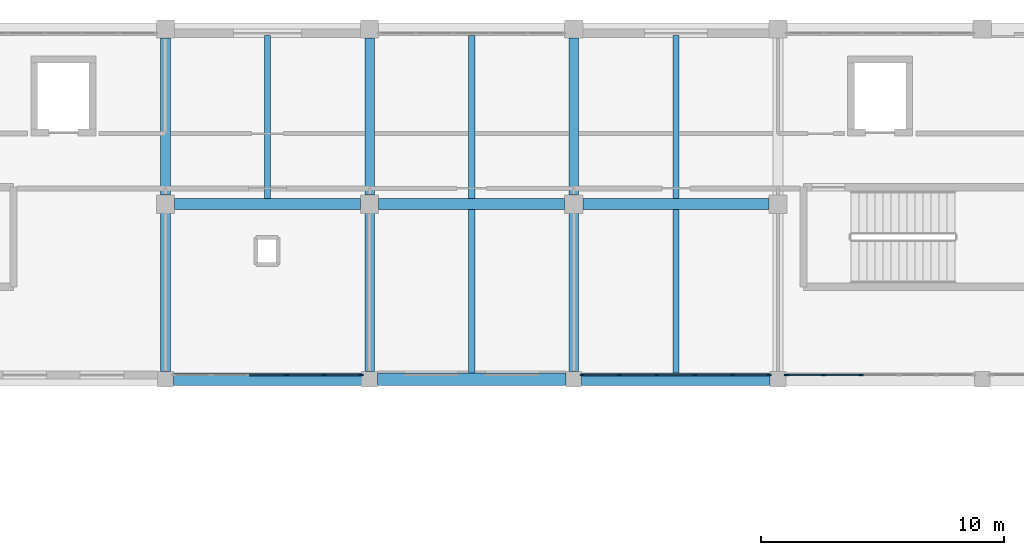
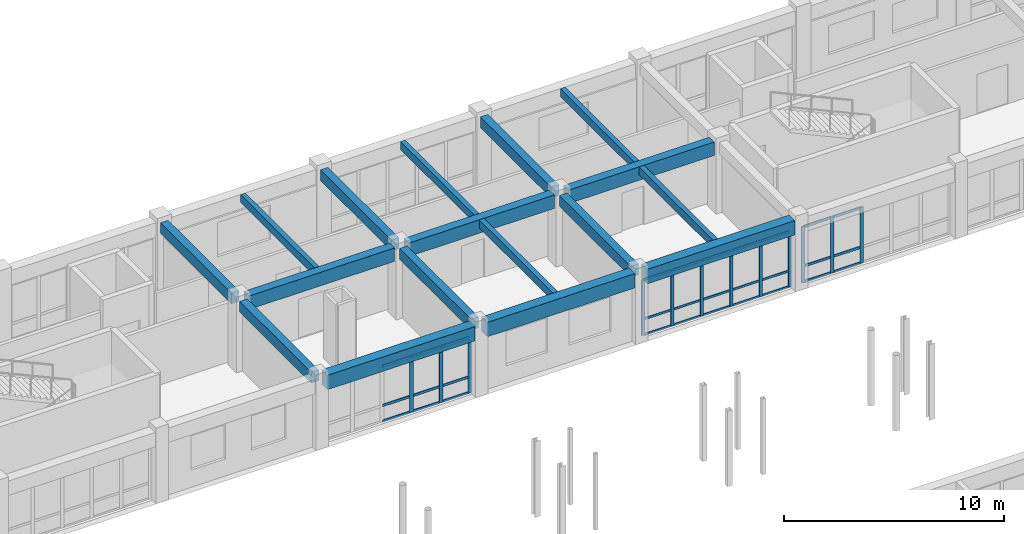
# One storey, part 62 of 147: 42 members, 17 beams, 3 elements without a shape of their own.
"""IFC4 building model written with IfcOpenShell, lengths in metres."""

from ifc_helpers import new_model, si_unit, direction, frame, origin, origin_2d, place, context, subcontext, project, spatial, rectangle, extrude, material, material_profile, profile_set, type_object, element, aggregate, save


model = new_model("IFC4")

# Units and contexts
model_context = context("Model", 3, precision=1e-05, world=origin(), true_north=direction((0.0, 1.0)))
body_context = subcontext(model_context, "Body", "Model", "MODEL_VIEW")
ifc_project = project(units=[si_unit("LENGTHUNIT", "METRE"), si_unit("AREAUNIT", "SQUARE_METRE"), si_unit("VOLUMEUNIT", "CUBIC_METRE"), si_unit("PLANEANGLEUNIT", "RADIAN"), si_unit("MASSUNIT", "GRAM", prefix="KILO")], contexts=[model_context])

# Site, building, storey
site_placement = place(None, origin())
site = spatial("IfcSite", under=ifc_project, at=site_placement, CompositionType="ELEMENT")
building_placement = place(site_placement, origin())
building = spatial("IfcBuilding", under=site, at=building_placement, Name="Malvenik Polytechnic", CompositionType="ELEMENT")
storey_placement = place(building_placement, frame((0.0, 0.0, 5.10009765625)))
storey = spatial("IfcBuildingStorey", under=building, at=storey_placement, Name="L01", CompositionType="ELEMENT", Elevation=5.10009765625)

# Curtain wall, members
ifc_material_1 = material(Name="Anodised aluminium 6060-T6", Category="aluminium")
curtain_wall_type = type_object("IfcCurtainWallType", Name="ARC-CW-CW-02", PredefinedType="NOTDEFINED", material=ifc_material_1)
curtain_wall_1_placement = place(storey_placement, origin())
curtain_wall_1 = element("IfcCurtainWall", 1, at=curtain_wall_1_placement, inside=storey, type_object=curtain_wall_type, Name="Unitised Curtain Wall CW-02 L01 #41", PredefinedType="NOTDEFINED")
ifc_material_2 = material(Name="Anodised aluminium", Category="aluminium")
ifc_material_profile_1 = material_profile(ifc_material_2, rectangle(XDim=0.06005859375, YDim=0.159912109375, at=origin_2d()), Name="ALU MULLION 60x160")
ifc_profile_set_1 = profile_set([ifc_material_profile_1], Name="Anodised aluminium")
member_type_1 = type_object("IfcMemberType", Name="ARC-CWM-160", PredefinedType="MULLION", material=ifc_profile_set_1)
member_1_placement = place(storey_placement, frame((50.047119140625, 115.3701171875, 0.0), z_axis=(0.0, 0.0, 1.0), x_axis=(0.0, -1.0, 0.0)))
member_1 = element("IfcMember", 2, at=member_1_placement, type_object=member_type_1, Name="CW-02 mullion 1", PredefinedType="MULLION", context=body_context, shape_type="SweptSolid", body=[
    extrude(rectangle(XDim=0.06005859375, YDim=0.159912109375, at=origin_2d()), origin(), (0.0, 0.0, 1.0), 3.10986328125),
])
member_2_placement = place(storey_placement, frame((48.526123046875, 115.3701171875, 0.0), z_axis=(0.0, 0.0, 1.0), x_axis=(0.0, -1.0, 0.0)))
member_2 = element("IfcMember", 3, at=member_2_placement, type_object=member_type_1, Name="CW-02 mullion 2", PredefinedType="MULLION", context=body_context, shape_type="SweptSolid", body=[
    extrude(rectangle(XDim=0.06005859375, YDim=0.159912109375, at=origin_2d()), origin(), (0.0, 0.0, 1.0), 3.10986328125),
])
member_3_placement = place(storey_placement, frame((46.975341796875, 115.3701171875, 0.0), z_axis=(0.0, 0.0, 1.0), x_axis=(0.0, -1.0, 0.0)))
member_3 = element("IfcMember", 4, at=member_3_placement, type_object=member_type_1, Name="CW-02 mullion 3", PredefinedType="MULLION", context=body_context, shape_type="SweptSolid", body=[
    extrude(rectangle(XDim=0.06005859375, YDim=0.159912109375, at=origin_2d()), origin(), (0.0, 0.0, 1.0), 3.10986328125),
])
member_4_placement = place(storey_placement, frame((45.424560546875, 115.3701171875, 0.0), z_axis=(0.0, 0.0, 1.0), x_axis=(0.0, -1.0, 0.0)))
member_4 = element("IfcMember", 5, at=member_4_placement, type_object=member_type_1, Name="CW-02 mullion 4", PredefinedType="MULLION", context=body_context, shape_type="SweptSolid", body=[
    extrude(rectangle(XDim=0.06005859375, YDim=0.159912109375, at=origin_2d()), origin(), (0.0, 0.0, 1.0), 3.10986328125),
])
member_5_placement = place(storey_placement, frame((43.873779296875, 115.3701171875, 0.0), z_axis=(0.0, 0.0, 1.0), x_axis=(0.0, -1.0, 0.0)))
member_5 = element("IfcMember", 6, at=member_5_placement, type_object=member_type_1, Name="CW-02 mullion 5", PredefinedType="MULLION", context=body_context, shape_type="SweptSolid", body=[
    extrude(rectangle(XDim=0.06005859375, YDim=0.159912109375, at=origin_2d()), origin(), (0.0, 0.0, 1.0), 3.10986328125),
])
member_6_placement = place(storey_placement, frame((42.35302734375, 115.3701171875, 0.0), z_axis=(0.0, 0.0, 1.0), x_axis=(0.0, -1.0, 0.0)))
member_6 = element("IfcMember", 7, at=member_6_placement, type_object=member_type_1, Name="CW-02 mullion 6", PredefinedType="MULLION", context=body_context, shape_type="SweptSolid", body=[
    extrude(rectangle(XDim=0.06005859375, YDim=0.159912109375, at=origin_2d()), origin(), (0.0, 0.0, 1.0), 3.10986328125),
])

curtain_wall_2_placement = place(storey_placement, origin())
curtain_wall_2 = element("IfcCurtainWall", 8, at=curtain_wall_2_placement, inside=storey, type_object=curtain_wall_type, Name="Unitised Curtain Wall CW-02 L01 #40", PredefinedType="NOTDEFINED")
ifc_material_profile_2 = material_profile(ifc_material_2, rectangle(XDim=0.06005859375, YDim=0.179931640625, at=origin_2d()), Name="ALU MULLION 60x180")
ifc_profile_set_2 = profile_set([ifc_material_profile_2], Name="Anodised aluminium")
member_type_2 = type_object("IfcMemberType", Name="ARC-CWM-180", PredefinedType="MULLION", material=ifc_profile_set_2)
member_7_placement = place(storey_placement, frame((53.82470703125, 115.3701171875, 0.0), z_axis=(0.0, 0.0, 1.0), x_axis=(0.0, -1.0, 0.0)))
member_7 = element("IfcMember", 9, at=member_7_placement, type_object=member_type_2, Name="CW-02 mullion 4", PredefinedType="MULLION", context=body_context, shape_type="SweptSolid", body=[
    extrude(rectangle(XDim=0.06005859375, YDim=0.179931640625, at=origin_2d()), origin(), (0.0, 0.0, 1.0), 3.10986328125),
])
member_8_placement = place(storey_placement, frame((52.273681640625, 115.3701171875, 0.0), z_axis=(0.0, 0.0, 1.0), x_axis=(0.0, -1.0, 0.0)))
member_8 = element("IfcMember", 10, at=member_8_placement, type_object=member_type_2, Name="CW-02 mullion 5", PredefinedType="MULLION", context=body_context, shape_type="SweptSolid", body=[
    extrude(rectangle(XDim=0.06005859375, YDim=0.179931640625, at=origin_2d()), origin(), (0.0, 0.0, 1.0), 3.10986328125),
])
member_9_placement = place(storey_placement, frame((50.7529296875, 115.3701171875, 0.0), z_axis=(0.0, 0.0, 1.0), x_axis=(0.0, -1.0, 0.0)))
member_9 = element("IfcMember", 11, at=member_9_placement, type_object=member_type_2, Name="CW-02 mullion 6", PredefinedType="MULLION", context=body_context, shape_type="SweptSolid", body=[
    extrude(rectangle(XDim=0.06005859375, YDim=0.179931640625, at=origin_2d()), origin(), (0.0, 0.0, 1.0), 3.10986328125),
])

curtain_wall_3_placement = place(storey_placement, origin())
curtain_wall_3 = element("IfcCurtainWall", 12, at=curtain_wall_3_placement, inside=storey, type_object=curtain_wall_type, Name="Unitised Curtain Wall CW-02 L01 #42", PredefinedType="NOTDEFINED")
ifc_material_profile_3 = material_profile(ifc_material_2, rectangle(XDim=0.06005859375, YDim=0.199951171875, at=origin_2d()), Name="ALU MULLION 60x200")
ifc_profile_set_3 = profile_set([ifc_material_profile_3], Name="Anodised aluminium")
member_type_3 = type_object("IfcMemberType", Name="ARC-CWM-200", PredefinedType="MULLION", material=ifc_profile_set_3)
member_10_placement = place(storey_placement, frame((33.2470703125, 115.3701171875, 0.0), z_axis=(0.0, 0.0, 1.0), x_axis=(0.0, -1.0, 0.0)))
member_10 = element("IfcMember", 13, at=member_10_placement, type_object=member_type_3, Name="CW-02 mullion 1", PredefinedType="MULLION", context=body_context, shape_type="SweptSolid", body=[
    extrude(rectangle(XDim=0.06005859375, YDim=0.199951171875, at=origin_2d()), origin(), (0.0, 0.0, 1.0), 3.10986328125),
])
member_11_placement = place(storey_placement, frame((31.726318359375, 115.3701171875, 0.0), z_axis=(0.0, 0.0, 1.0), x_axis=(0.0, -1.0, 0.0)))
member_11 = element("IfcMember", 14, at=member_11_placement, type_object=member_type_3, Name="CW-02 mullion 2", PredefinedType="MULLION", context=body_context, shape_type="SweptSolid", body=[
    extrude(rectangle(XDim=0.06005859375, YDim=0.199951171875, at=origin_2d()), origin(), (0.0, 0.0, 1.0), 3.10986328125),
])
member_12_placement = place(storey_placement, frame((30.17529296875, 115.3701171875, 0.0), z_axis=(0.0, 0.0, 1.0), x_axis=(0.0, -1.0, 0.0)))
member_12 = element("IfcMember", 15, at=member_12_placement, type_object=member_type_3, Name="CW-02 mullion 3", PredefinedType="MULLION", context=body_context, shape_type="SweptSolid", body=[
    extrude(rectangle(XDim=0.06005859375, YDim=0.199951171875, at=origin_2d()), origin(), (0.0, 0.0, 1.0), 3.10986328125),
])

# Member
ifc_material_profile_4 = material_profile(ifc_material_2, rectangle(XDim=0.06005859375, YDim=0.1201171875, at=origin_2d()), Name="ALU TRANSOM 60x120")
ifc_profile_set_4 = profile_set([ifc_material_profile_4], Name="Anodised aluminium")
member_type_4 = type_object("IfcMemberType", Name="ARC-CWT-120", PredefinedType="USERDEFINED", material=ifc_profile_set_4)
member_13_placement = place(storey_placement, frame((50.01708984375, 115.3701171875, 0.02978515625), z_axis=(-1.0, 0.0, 0.0), x_axis=(0.0, -1.0, 0.0)))
member_13 = element("IfcMember", 16, at=member_13_placement, type_object=member_type_4, Name="CW-02 transom 1.1", ObjectType="TRANSOM", PredefinedType="USERDEFINED", context=body_context, shape_type="SweptSolid", body=[
    extrude(rectangle(XDim=0.06005859375, YDim=0.1201171875, at=origin_2d()), origin(), (0.0, 0.0, 1.0), 1.4609375),
])

member_14_placement = place(storey_placement, frame((50.01708984375, 115.3701171875, 0.89990234375), z_axis=(-1.0, 0.0, 0.0), x_axis=(0.0, -1.0, 0.0)))
member_14 = element("IfcMember", 17, at=member_14_placement, type_object=member_type_4, Name="CW-02 transom 1.2", ObjectType="TRANSOM", PredefinedType="USERDEFINED", context=body_context, shape_type="SweptSolid", body=[
    extrude(rectangle(XDim=0.06005859375, YDim=0.1201171875, at=origin_2d()), origin(), (0.0, 0.0, 1.0), 1.4609375),
])

member_15_placement = place(storey_placement, frame((50.01708984375, 115.3701171875, 3.079833984375), z_axis=(-1.0, 0.0, 0.0), x_axis=(0.0, -1.0, 0.0)))
member_15 = element("IfcMember", 18, at=member_15_placement, type_object=member_type_4, Name="CW-02 transom 1.3", ObjectType="TRANSOM", PredefinedType="USERDEFINED", context=body_context, shape_type="SweptSolid", body=[
    extrude(rectangle(XDim=0.06005859375, YDim=0.1201171875, at=origin_2d()), origin(), (0.0, 0.0, 1.0), 1.4609375),
])

member_16_placement = place(storey_placement, frame((48.49609375, 115.3701171875, 0.02978515625), z_axis=(-1.0, 0.0, 0.0), x_axis=(0.0, -1.0, 0.0)))
member_16 = element("IfcMember", 19, at=member_16_placement, type_object=member_type_4, Name="CW-02 transom 2.1", ObjectType="TRANSOM", PredefinedType="USERDEFINED", context=body_context, shape_type="SweptSolid", body=[
    extrude(rectangle(XDim=0.06005859375, YDim=0.1201171875, at=origin_2d()), origin(), (0.0, 0.0, 1.0), 1.49072265625),
])

member_17_placement = place(storey_placement, frame((48.49609375, 115.3701171875, 0.89990234375), z_axis=(-1.0, 0.0, 0.0), x_axis=(0.0, -1.0, 0.0)))
member_17 = element("IfcMember", 20, at=member_17_placement, type_object=member_type_4, Name="CW-02 transom 2.2", ObjectType="TRANSOM", PredefinedType="USERDEFINED", context=body_context, shape_type="SweptSolid", body=[
    extrude(rectangle(XDim=0.06005859375, YDim=0.1201171875, at=origin_2d()), origin(), (0.0, 0.0, 1.0), 1.49072265625),
])

member_18_placement = place(storey_placement, frame((48.49609375, 115.3701171875, 3.079833984375), z_axis=(-1.0, 0.0, 0.0), x_axis=(0.0, -1.0, 0.0)))
member_18 = element("IfcMember", 21, at=member_18_placement, type_object=member_type_4, Name="CW-02 transom 2.3", ObjectType="TRANSOM", PredefinedType="USERDEFINED", context=body_context, shape_type="SweptSolid", body=[
    extrude(rectangle(XDim=0.06005859375, YDim=0.1201171875, at=origin_2d()), origin(), (0.0, 0.0, 1.0), 1.49072265625),
])

member_19_placement = place(storey_placement, frame((46.9453125, 115.3701171875, 0.02978515625), z_axis=(-1.0, 0.0, 0.0), x_axis=(0.0, -1.0, 0.0)))
member_19 = element("IfcMember", 22, at=member_19_placement, type_object=member_type_4, Name="CW-02 transom 3.1", ObjectType="TRANSOM", PredefinedType="USERDEFINED", context=body_context, shape_type="SweptSolid", body=[
    extrude(rectangle(XDim=0.06005859375, YDim=0.1201171875, at=origin_2d()), origin(), (0.0, 0.0, 1.0), 1.49072265625),
])

member_20_placement = place(storey_placement, frame((46.9453125, 115.3701171875, 0.89990234375), z_axis=(-1.0, 0.0, 0.0), x_axis=(0.0, -1.0, 0.0)))
member_20 = element("IfcMember", 23, at=member_20_placement, type_object=member_type_4, Name="CW-02 transom 3.2", ObjectType="TRANSOM", PredefinedType="USERDEFINED", context=body_context, shape_type="SweptSolid", body=[
    extrude(rectangle(XDim=0.06005859375, YDim=0.1201171875, at=origin_2d()), origin(), (0.0, 0.0, 1.0), 1.49072265625),
])

member_21_placement = place(storey_placement, frame((46.9453125, 115.3701171875, 3.079833984375), z_axis=(-1.0, 0.0, 0.0), x_axis=(0.0, -1.0, 0.0)))
member_21 = element("IfcMember", 24, at=member_21_placement, type_object=member_type_4, Name="CW-02 transom 3.3", ObjectType="TRANSOM", PredefinedType="USERDEFINED", context=body_context, shape_type="SweptSolid", body=[
    extrude(rectangle(XDim=0.06005859375, YDim=0.1201171875, at=origin_2d()), origin(), (0.0, 0.0, 1.0), 1.49072265625),
])

member_22_placement = place(storey_placement, frame((45.39453125, 115.3701171875, 0.02978515625), z_axis=(-1.0, 0.0, 0.0), x_axis=(0.0, -1.0, 0.0)))
member_22 = element("IfcMember", 25, at=member_22_placement, type_object=member_type_4, Name="CW-02 transom 4.1", ObjectType="TRANSOM", PredefinedType="USERDEFINED", context=body_context, shape_type="SweptSolid", body=[
    extrude(rectangle(XDim=0.06005859375, YDim=0.1201171875, at=origin_2d()), origin(), (0.0, 0.0, 1.0), 1.49072265625),
])

member_23_placement = place(storey_placement, frame((45.39453125, 115.3701171875, 0.89990234375), z_axis=(-1.0, 0.0, 0.0), x_axis=(0.0, -1.0, 0.0)))
member_23 = element("IfcMember", 26, at=member_23_placement, type_object=member_type_4, Name="CW-02 transom 4.2", ObjectType="TRANSOM", PredefinedType="USERDEFINED", context=body_context, shape_type="SweptSolid", body=[
    extrude(rectangle(XDim=0.06005859375, YDim=0.1201171875, at=origin_2d()), origin(), (0.0, 0.0, 1.0), 1.49072265625),
])

member_24_placement = place(storey_placement, frame((45.39453125, 115.3701171875, 3.079833984375), z_axis=(-1.0, 0.0, 0.0), x_axis=(0.0, -1.0, 0.0)))
member_24 = element("IfcMember", 27, at=member_24_placement, type_object=member_type_4, Name="CW-02 transom 4.3", ObjectType="TRANSOM", PredefinedType="USERDEFINED", context=body_context, shape_type="SweptSolid", body=[
    extrude(rectangle(XDim=0.06005859375, YDim=0.1201171875, at=origin_2d()), origin(), (0.0, 0.0, 1.0), 1.49072265625),
])

member_25_placement = place(storey_placement, frame((43.84375, 115.3701171875, 0.02978515625), z_axis=(-1.0, 0.0, 0.0), x_axis=(0.0, -1.0, 0.0)))
member_25 = element("IfcMember", 28, at=member_25_placement, type_object=member_type_4, Name="CW-02 transom 5.1", ObjectType="TRANSOM", PredefinedType="USERDEFINED", context=body_context, shape_type="SweptSolid", body=[
    extrude(rectangle(XDim=0.06005859375, YDim=0.1201171875, at=origin_2d()), origin(), (0.0, 0.0, 1.0), 1.460693359375),
])

member_26_placement = place(storey_placement, frame((43.84375, 115.3701171875, 0.89990234375), z_axis=(-1.0, 0.0, 0.0), x_axis=(0.0, -1.0, 0.0)))
member_26 = element("IfcMember", 29, at=member_26_placement, type_object=member_type_4, Name="CW-02 transom 5.2", ObjectType="TRANSOM", PredefinedType="USERDEFINED", context=body_context, shape_type="SweptSolid", body=[
    extrude(rectangle(XDim=0.06005859375, YDim=0.1201171875, at=origin_2d()), origin(), (0.0, 0.0, 1.0), 1.460693359375),
])

member_27_placement = place(storey_placement, frame((43.84375, 115.3701171875, 3.079833984375), z_axis=(-1.0, 0.0, 0.0), x_axis=(0.0, -1.0, 0.0)))
member_27 = element("IfcMember", 30, at=member_27_placement, type_object=member_type_4, Name="CW-02 transom 5.3", ObjectType="TRANSOM", PredefinedType="USERDEFINED", context=body_context, shape_type="SweptSolid", body=[
    extrude(rectangle(XDim=0.06005859375, YDim=0.1201171875, at=origin_2d()), origin(), (0.0, 0.0, 1.0), 1.460693359375),
])

aggregate(curtain_wall_1, [member_1, member_2, member_3, member_4, member_5, member_6, member_13, member_14, member_15, member_16, member_17, member_18, member_19, member_20, member_21, member_22, member_23, member_24, member_25, member_26, member_27])

ifc_material_profile_5 = material_profile(ifc_material_2, rectangle(XDim=0.06005859375, YDim=0.139892578125, at=origin_2d()), Name="ALU TRANSOM 60x140")
ifc_profile_set_5 = profile_set([ifc_material_profile_5], Name="Anodised aluminium")
member_type_5 = type_object("IfcMemberType", Name="ARC-CWT-140", PredefinedType="USERDEFINED", material=ifc_profile_set_5)
member_28_placement = place(storey_placement, frame((53.794677734375, 115.3701171875, 0.02978515625), z_axis=(-1.0, 0.0, 0.0), x_axis=(0.0, -1.0, 0.0)))
member_28 = element("IfcMember", 31, at=member_28_placement, type_object=member_type_5, Name="CW-02 transom 4.1", ObjectType="TRANSOM", PredefinedType="USERDEFINED", context=body_context, shape_type="SweptSolid", body=[
    extrude(rectangle(XDim=0.06005859375, YDim=0.139892578125, at=origin_2d()), origin(), (0.0, 0.0, 1.0), 1.490966796875),
])

member_29_placement = place(storey_placement, frame((53.794677734375, 115.3701171875, 0.89990234375), z_axis=(-1.0, 0.0, 0.0), x_axis=(0.0, -1.0, 0.0)))
member_29 = element("IfcMember", 32, at=member_29_placement, type_object=member_type_5, Name="CW-02 transom 4.2", ObjectType="TRANSOM", PredefinedType="USERDEFINED", context=body_context, shape_type="SweptSolid", body=[
    extrude(rectangle(XDim=0.06005859375, YDim=0.139892578125, at=origin_2d()), origin(), (0.0, 0.0, 1.0), 1.490966796875),
])

member_30_placement = place(storey_placement, frame((53.794677734375, 115.3701171875, 3.079833984375), z_axis=(-1.0, 0.0, 0.0), x_axis=(0.0, -1.0, 0.0)))
member_30 = element("IfcMember", 33, at=member_30_placement, type_object=member_type_5, Name="CW-02 transom 4.3", ObjectType="TRANSOM", PredefinedType="USERDEFINED", context=body_context, shape_type="SweptSolid", body=[
    extrude(rectangle(XDim=0.06005859375, YDim=0.139892578125, at=origin_2d()), origin(), (0.0, 0.0, 1.0), 1.490966796875),
])

member_31_placement = place(storey_placement, frame((52.243896484375, 115.3701171875, 0.02978515625), z_axis=(-1.0, 0.0, 0.0), x_axis=(0.0, -1.0, 0.0)))
member_31 = element("IfcMember", 34, at=member_31_placement, type_object=member_type_5, Name="CW-02 transom 5.1", ObjectType="TRANSOM", PredefinedType="USERDEFINED", context=body_context, shape_type="SweptSolid", body=[
    extrude(rectangle(XDim=0.06005859375, YDim=0.139892578125, at=origin_2d()), origin(), (0.0, 0.0, 1.0), 1.4609375),
])

member_32_placement = place(storey_placement, frame((52.243896484375, 115.3701171875, 0.89990234375), z_axis=(-1.0, 0.0, 0.0), x_axis=(0.0, -1.0, 0.0)))
member_32 = element("IfcMember", 35, at=member_32_placement, type_object=member_type_5, Name="CW-02 transom 5.2", ObjectType="TRANSOM", PredefinedType="USERDEFINED", context=body_context, shape_type="SweptSolid", body=[
    extrude(rectangle(XDim=0.06005859375, YDim=0.139892578125, at=origin_2d()), origin(), (0.0, 0.0, 1.0), 1.4609375),
])

member_33_placement = place(storey_placement, frame((52.243896484375, 115.3701171875, 3.079833984375), z_axis=(-1.0, 0.0, 0.0), x_axis=(0.0, -1.0, 0.0)))
member_33 = element("IfcMember", 36, at=member_33_placement, type_object=member_type_5, Name="CW-02 transom 5.3", ObjectType="TRANSOM", PredefinedType="USERDEFINED", context=body_context, shape_type="SweptSolid", body=[
    extrude(rectangle(XDim=0.06005859375, YDim=0.139892578125, at=origin_2d()), origin(), (0.0, 0.0, 1.0), 1.4609375),
])

aggregate(curtain_wall_2, [member_7, member_8, member_9, member_28, member_29, member_30, member_31, member_32, member_33])

member_34_placement = place(storey_placement, frame((33.217041015625, 115.3701171875, 0.02978515625), z_axis=(-1.0, 0.0, 0.0), x_axis=(0.0, -1.0, 0.0)))
member_34 = element("IfcMember", 37, at=member_34_placement, type_object=member_type_5, Name="CW-02 transom 1.1", ObjectType="TRANSOM", PredefinedType="USERDEFINED", context=body_context, shape_type="SweptSolid", body=[
    extrude(rectangle(XDim=0.06005859375, YDim=0.139892578125, at=origin_2d()), origin(), (0.0, 0.0, 1.0), 1.4609375),
])

member_35_placement = place(storey_placement, frame((33.217041015625, 115.3701171875, 0.89990234375), z_axis=(-1.0, 0.0, 0.0), x_axis=(0.0, -1.0, 0.0)))
member_35 = element("IfcMember", 38, at=member_35_placement, type_object=member_type_5, Name="CW-02 transom 1.2", ObjectType="TRANSOM", PredefinedType="USERDEFINED", context=body_context, shape_type="SweptSolid", body=[
    extrude(rectangle(XDim=0.06005859375, YDim=0.139892578125, at=origin_2d()), origin(), (0.0, 0.0, 1.0), 1.4609375),
])

member_36_placement = place(storey_placement, frame((33.217041015625, 115.3701171875, 3.079833984375), z_axis=(-1.0, 0.0, 0.0), x_axis=(0.0, -1.0, 0.0)))
member_36 = element("IfcMember", 39, at=member_36_placement, type_object=member_type_5, Name="CW-02 transom 1.3", ObjectType="TRANSOM", PredefinedType="USERDEFINED", context=body_context, shape_type="SweptSolid", body=[
    extrude(rectangle(XDim=0.06005859375, YDim=0.139892578125, at=origin_2d()), origin(), (0.0, 0.0, 1.0), 1.4609375),
])

member_37_placement = place(storey_placement, frame((31.6962890625, 115.3701171875, 0.02978515625), z_axis=(-1.0, 0.0, 0.0), x_axis=(0.0, -1.0, 0.0)))
member_37 = element("IfcMember", 40, at=member_37_placement, type_object=member_type_5, Name="CW-02 transom 2.1", ObjectType="TRANSOM", PredefinedType="USERDEFINED", context=body_context, shape_type="SweptSolid", body=[
    extrude(rectangle(XDim=0.06005859375, YDim=0.139892578125, at=origin_2d()), origin(), (0.0, 0.0, 1.0), 1.490966796875),
])

member_38_placement = place(storey_placement, frame((31.6962890625, 115.3701171875, 0.89990234375), z_axis=(-1.0, 0.0, 0.0), x_axis=(0.0, -1.0, 0.0)))
member_38 = element("IfcMember", 41, at=member_38_placement, type_object=member_type_5, Name="CW-02 transom 2.2", ObjectType="TRANSOM", PredefinedType="USERDEFINED", context=body_context, shape_type="SweptSolid", body=[
    extrude(rectangle(XDim=0.06005859375, YDim=0.139892578125, at=origin_2d()), origin(), (0.0, 0.0, 1.0), 1.490966796875),
])

member_39_placement = place(storey_placement, frame((31.6962890625, 115.3701171875, 3.079833984375), z_axis=(-1.0, 0.0, 0.0), x_axis=(0.0, -1.0, 0.0)))
member_39 = element("IfcMember", 42, at=member_39_placement, type_object=member_type_5, Name="CW-02 transom 2.3", ObjectType="TRANSOM", PredefinedType="USERDEFINED", context=body_context, shape_type="SweptSolid", body=[
    extrude(rectangle(XDim=0.06005859375, YDim=0.139892578125, at=origin_2d()), origin(), (0.0, 0.0, 1.0), 1.490966796875),
])

member_40_placement = place(storey_placement, frame((30.1455078125, 115.3701171875, 0.02978515625), z_axis=(-1.0, 0.0, 0.0), x_axis=(0.0, -1.0, 0.0)))
member_40 = element("IfcMember", 43, at=member_40_placement, type_object=member_type_5, Name="CW-02 transom 3.1", ObjectType="TRANSOM", PredefinedType="USERDEFINED", context=body_context, shape_type="SweptSolid", body=[
    extrude(rectangle(XDim=0.06005859375, YDim=0.139892578125, at=origin_2d()), origin(), (0.0, 0.0, 1.0), 1.490966796875),
])

member_41_placement = place(storey_placement, frame((30.1455078125, 115.3701171875, 0.89990234375), z_axis=(-1.0, 0.0, 0.0), x_axis=(0.0, -1.0, 0.0)))
member_41 = element("IfcMember", 44, at=member_41_placement, type_object=member_type_5, Name="CW-02 transom 3.2", ObjectType="TRANSOM", PredefinedType="USERDEFINED", context=body_context, shape_type="SweptSolid", body=[
    extrude(rectangle(XDim=0.06005859375, YDim=0.139892578125, at=origin_2d()), origin(), (0.0, 0.0, 1.0), 1.490966796875),
])

member_42_placement = place(storey_placement, frame((30.1455078125, 115.3701171875, 3.079833984375), z_axis=(-1.0, 0.0, 0.0), x_axis=(0.0, -1.0, 0.0)))
member_42 = element("IfcMember", 45, at=member_42_placement, type_object=member_type_5, Name="CW-02 transom 3.3", ObjectType="TRANSOM", PredefinedType="USERDEFINED", context=body_context, shape_type="SweptSolid", body=[
    extrude(rectangle(XDim=0.06005859375, YDim=0.139892578125, at=origin_2d()), origin(), (0.0, 0.0, 1.0), 1.490966796875),
])

aggregate(curtain_wall_3, [member_10, member_11, member_12, member_34, member_35, member_36, member_37, member_38, member_39, member_40, member_41, member_42])

# Beams
ifc_material_3 = material(Name="Concrete C35/45", Category="concrete")
ifc_material_profile_6 = material_profile(ifc_material_3, rectangle(XDim=0.449951171875, YDim=0.75, at=origin_2d()), Name="RC BM 450x750")
ifc_profile_set_6 = profile_set([ifc_material_profile_6], Name="Concrete C35/45")
beam_type_1 = type_object("IfcBeamType", Name="STR-BM-B-03", PredefinedType="BEAM", material=ifc_profile_set_6)
for number, where, z_axis, x_axis, name in (
    (46, (25.572998046875, 122.39990234375, 3.544921875), (1.0, 0.0, 0.0), (0.0, 1.0, 0.0), "Primary Beam B-03 L01 #1102"),
    (47, (33.972900390625, 122.39990234375, 3.544921875), (1.0, 0.0, 0.0), (0.0, 1.0, 0.0), "Primary Beam B-03 L01 #1103"),
    (48, (42.373046875, 122.39990234375, 3.544921875), (1.0, 0.0, 0.0), (0.0, 1.0, 0.0), "Primary Beam B-03 L01 #1104"),
):
    element("IfcBeam", number, at=place(storey_placement, frame(where, z_axis=z_axis, x_axis=x_axis)), inside=storey, type_object=beam_type_1, Name=name, PredefinedType="BEAM", context=body_context, shape_type="SweptSolid", body=[
        extrude(rectangle(XDim=0.449951171875, YDim=0.75, at=origin_2d()), origin(), (0.0, 0.0, 1.0), 7.654052734375),
    ])
ifc_material_profile_7 = material_profile(ifc_material_3, rectangle(XDim=0.39990234375, YDim=0.60009765625, at=origin_2d()), Name="RC BM 400x600")
ifc_profile_set_7 = profile_set([ifc_material_profile_7], Name="Concrete C35/45")
beam_type_2 = type_object("IfcBeamType", Name="STR-BM-B-06", PredefinedType="BEAM", material=ifc_profile_set_7)
beam_1_placement = place(storey_placement, frame((25.199951171875, 115.52294921875, 3.619873046875), z_axis=(0.0, 1.0, 0.0), x_axis=(-1.0, 0.0, 0.0)))
element("IfcBeam", 49, at=beam_1_placement, inside=storey, type_object=beam_type_2, Name="Transverse Beam B-06 L01 #1143", PredefinedType="BEAM", context=body_context, shape_type="SweptSolid", body=[
    extrude(rectangle(XDim=0.39990234375, YDim=0.60009765625, at=origin_2d()), origin(), (0.0, 0.0, 1.0), 6.504150390625),
])
beam_2_placement = place(storey_placement, frame((25.199951171875, 122.77294921875, 3.619873046875), z_axis=(0.0, 1.0, 0.0), x_axis=(-1.0, 0.0, 0.0)))
element("IfcBeam", 50, at=beam_2_placement, inside=storey, type_object=beam_type_2, Name="Transverse Beam B-06 L01 #1144", PredefinedType="BEAM", context=body_context, shape_type="SweptSolid", body=[
    extrude(rectangle(XDim=0.39990234375, YDim=0.60009765625, at=origin_2d()), origin(), (0.0, 0.0, 1.0), 6.4541015625),
])
beam_3_placement = place(storey_placement, frame((33.60009765625, 115.52294921875, 3.619873046875), z_axis=(0.0, 1.0, 0.0), x_axis=(-1.0, 0.0, 0.0)))
element("IfcBeam", 51, at=beam_3_placement, inside=storey, type_object=beam_type_2, Name="Transverse Beam B-06 L01 #1151", PredefinedType="BEAM", context=body_context, shape_type="SweptSolid", body=[
    extrude(rectangle(XDim=0.39990234375, YDim=0.60009765625, at=origin_2d()), origin(), (0.0, 0.0, 1.0), 6.504150390625),
])
beam_4_placement = place(storey_placement, frame((33.60009765625, 122.77294921875, 3.619873046875), z_axis=(0.0, 1.0, 0.0), x_axis=(-1.0, 0.0, 0.0)))
element("IfcBeam", 52, at=beam_4_placement, inside=storey, type_object=beam_type_2, Name="Transverse Beam B-06 L01 #1152", PredefinedType="BEAM", context=body_context, shape_type="SweptSolid", body=[
    extrude(rectangle(XDim=0.39990234375, YDim=0.60009765625, at=origin_2d()), origin(), (0.0, 0.0, 1.0), 6.4541015625),
])
beam_5_placement = place(storey_placement, frame((42.0, 115.52294921875, 3.619873046875), z_axis=(0.0, 1.0, 0.0), x_axis=(-1.0, 0.0, 0.0)))
element("IfcBeam", 53, at=beam_5_placement, inside=storey, type_object=beam_type_2, Name="Transverse Beam B-06 L01 #1157", PredefinedType="BEAM", context=body_context, shape_type="SweptSolid", body=[
    extrude(rectangle(XDim=0.39990234375, YDim=0.60009765625, at=origin_2d()), origin(), (0.0, 0.0, 1.0), 6.504150390625),
])
beam_6_placement = place(storey_placement, frame((42.0, 122.77294921875, 3.619873046875), z_axis=(0.0, 1.0, 0.0), x_axis=(-1.0, 0.0, 0.0)))
element("IfcBeam", 54, at=beam_6_placement, inside=storey, type_object=beam_type_2, Name="Transverse Beam B-06 L01 #1158", PredefinedType="BEAM", context=body_context, shape_type="SweptSolid", body=[
    extrude(rectangle(XDim=0.39990234375, YDim=0.60009765625, at=origin_2d()), origin(), (0.0, 0.0, 1.0), 6.4541015625),
])
ifc_material_4 = material(Name="Concrete C30/37", Category="concrete")
ifc_material_profile_8 = material_profile(ifc_material_4, rectangle(XDim=0.25, YDim=0.449951171875, at=origin_2d()), Name="RC JST 250x450")
ifc_profile_set_8 = profile_set([ifc_material_profile_8], Name="Concrete C30/37")
beam_type_3 = type_object("IfcBeamType", Name="STR-BM-J-02", PredefinedType="JOIST", material=ifc_profile_set_8)
for number, where, z_axis, x_axis, name in (
    (55, (29.39990234375, 122.623046875, 3.69482421875), (0.0, 1.0, 0.0), (-1.0, 0.0, 0.0), "Secondary Rib Joist J-02 L01 #1260"),
    (56, (37.800048828125, 115.4580078125, 3.69482421875), (0.0, 1.0, 0.0), (-1.0, 0.0, 0.0), "Secondary Rib Joist J-02 L01 #1265"),
    (57, (37.800048828125, 122.623046875, 3.69482421875), (0.0, 1.0, 0.0), (-1.0, 0.0, 0.0), "Secondary Rib Joist J-02 L01 #1266"),
    (58, (46.199951171875, 115.4580078125, 3.69482421875), (0.0, 1.0, 0.0), (-1.0, 0.0, 0.0), "Secondary Rib Joist J-02 L01 #1271"),
    (59, (46.199951171875, 122.623046875, 3.69482421875), (0.0, 1.0, 0.0), (-1.0, 0.0, 0.0), "Secondary Rib Joist J-02 L01 #1272"),
):
    element("IfcBeam", number, at=place(storey_placement, frame(where, z_axis=z_axis, x_axis=x_axis)), inside=storey, type_object=beam_type_3, Name=name, PredefinedType="JOIST", context=body_context, shape_type="SweptSolid", body=[
        extrude(rectangle(XDim=0.25, YDim=0.449951171875, at=origin_2d()), origin(), (0.0, 0.0, 1.0), 6.718994140625),
    ])
ifc_material_5 = material(Name="Precast concrete C40/50", Category="concrete")
ifc_material_profile_9 = material_profile(ifc_material_5, rectangle(XDim=0.52001953125, YDim=0.800048828125, at=origin_2d()), Name="PC SPN 520x800")
ifc_profile_set_9 = profile_set([ifc_material_profile_9], Name="Precast concrete C40/50")
beam_type_4 = type_object("IfcBeamType", Name="STR-BM-SP-01", PredefinedType="SPANDREL", material=ifc_profile_set_9)
beam_7_placement = place(storey_placement, frame((25.52294921875, 115.199951171875, 3.52001953125), z_axis=(1.0, 0.0, 0.0), x_axis=(0.0, 1.0, 0.0)))
element("IfcBeam", 60, at=beam_7_placement, inside=storey, type_object=beam_type_4, Name="Primary Beam SP-01 L01 #1088", PredefinedType="SPANDREL", context=body_context, shape_type="SweptSolid", body=[
    extrude(rectangle(XDim=0.52001953125, YDim=0.800048828125, at=origin_2d()), origin(), (0.0, 0.0, 1.0), 7.754150390625),
])
for number, where, z_axis, x_axis, name in (
    (61, (33.923095703125, 115.199951171875, 3.52001953125), (1.0, 0.0, 0.0), (0.0, 1.0, 0.0), "Primary Beam SP-01 L01 #1089"),
    (62, (42.322998046875, 115.199951171875, 3.52001953125), (1.0, 0.0, 0.0), (0.0, 1.0, 0.0), "Primary Beam SP-01 L01 #1090"),
):
    element("IfcBeam", number, at=place(storey_placement, frame(where, z_axis=z_axis, x_axis=x_axis)), inside=storey, type_object=beam_type_4, Name=name, PredefinedType="SPANDREL", context=body_context, shape_type="SweptSolid", body=[
        extrude(rectangle(XDim=0.52001953125, YDim=0.800048828125, at=origin_2d()), origin(), (0.0, 0.0, 1.0), 7.75390625),
    ])

save(model, "model.ifc")
